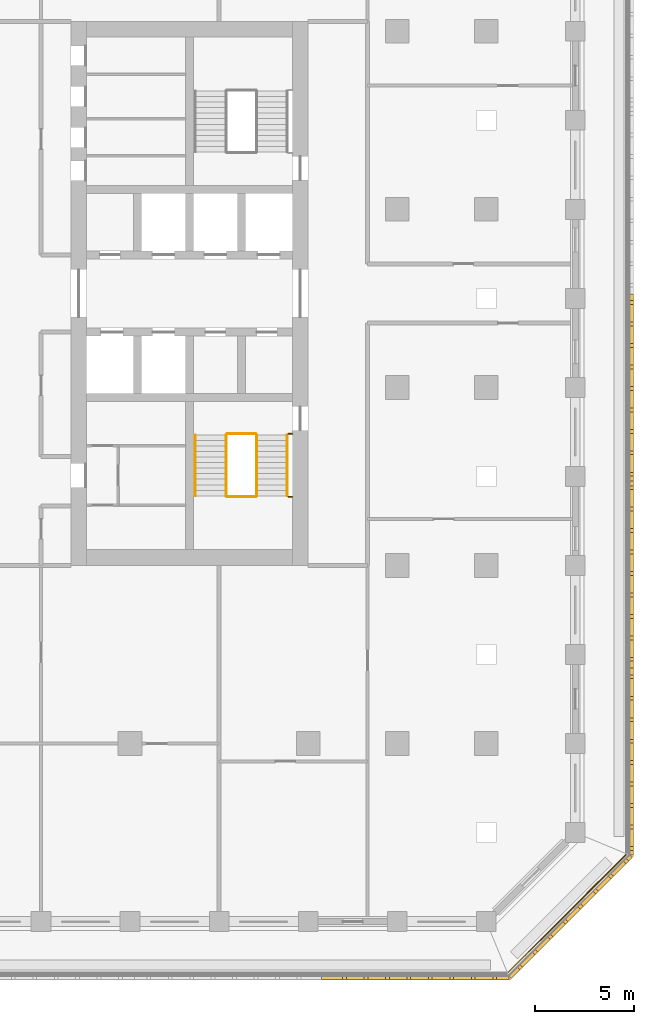
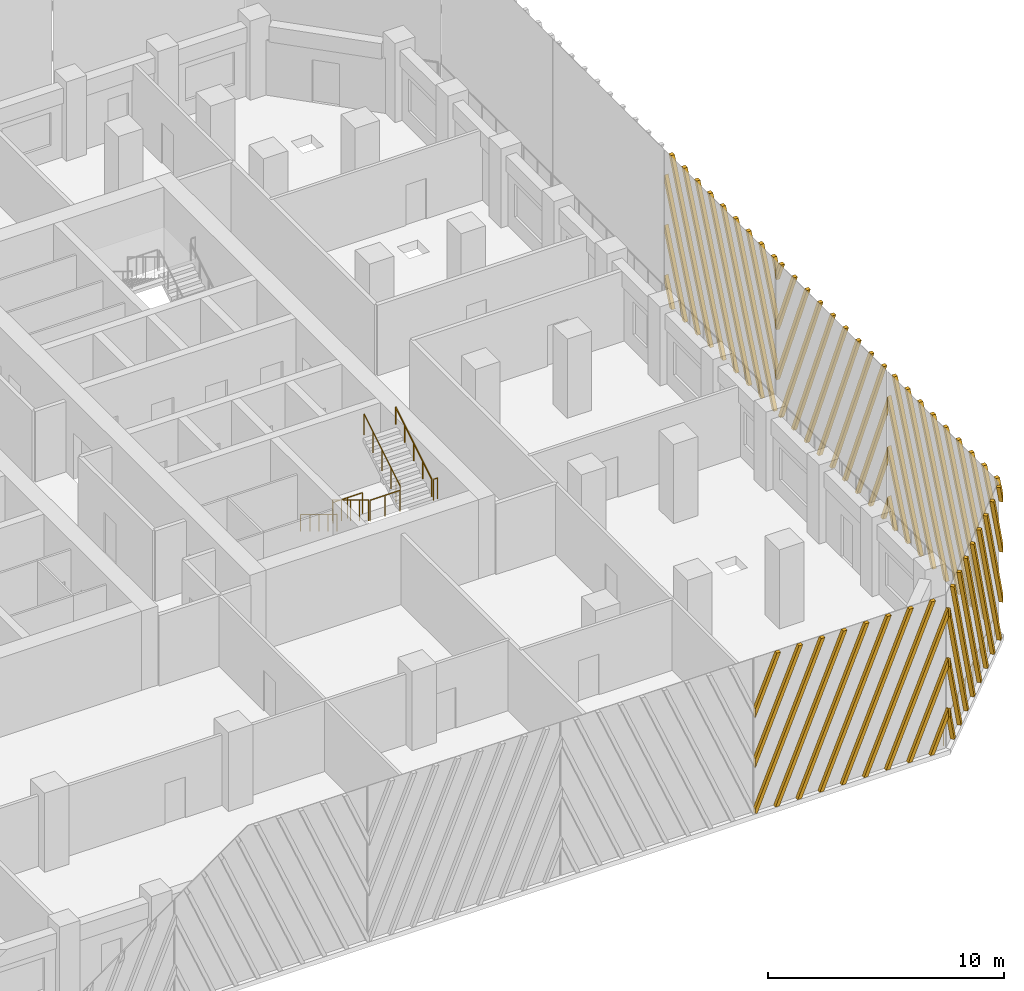
# One storey, part 11 of 16: 9 railings, 5 shading devices.
"""IFC4 building model written with IfcOpenShell, lengths in metres."""

from ifc_helpers import new_model, si_unit, direction, frame, origin, origin_2d, place, context, subcontext, project, spatial, polyline, circle, outline, extrude, source, transform, mapped, material, type_object, element, save


model = new_model("IFC4")

# Units and contexts
model_context = context("Model", 3, precision=1e-05, world=origin(), true_north=direction((0.0, 1.0)))
body_context = subcontext(model_context, "Body", "Model", "MODEL_VIEW")
ifc_project = project(units=[si_unit("LENGTHUNIT", "METRE"), si_unit("AREAUNIT", "SQUARE_METRE"), si_unit("VOLUMEUNIT", "CUBIC_METRE"), si_unit("PLANEANGLEUNIT", "RADIAN"), si_unit("MASSUNIT", "GRAM", prefix="KILO")], contexts=[model_context])

# Site, building, storey
site_placement = place(None, origin())
site = spatial("IfcSite", under=ifc_project, at=site_placement, CompositionType="ELEMENT")
building_placement = place(site_placement, origin())
building = spatial("IfcBuilding", under=site, at=building_placement, Name="Corbel Stack Research Tower", CompositionType="ELEMENT")
storey_placement = place(building_placement, frame((0.0, 0.0, 191.5)))
storey = spatial("IfcBuildingStorey", under=building, at=storey_placement, Name="L43", CompositionType="ELEMENT", Elevation=191.5)

# Railings
ifc_material_1 = material(Name="Steel S355", Category="steel")
railing_type_1 = type_object("IfcRailingType", Name="Stair guard 1100", PredefinedType="GUARDRAIL", material=ifc_material_1)
railing_1_placement = place(storey_placement, frame((13.85009765625, -2.39990234375, 0.1708984375)))
element("IfcRailing", 1, at=railing_1_placement, inside=storey, type_object=railing_type_1, Name="L43 ST-E1 stair guard 1", PredefinedType="GUARDRAIL", context=body_context, shape_type="SweptSolid", body=[
    extrude(circle(Radius=0.02392578125, at=origin_2d()), frame((0.0, 0.0, 1.076171875), z_axis=(0.0, -0.853666305674, 0.52082035152), x_axis=(1.0, 0.0, 0.0)), (0.0, 0.0, 1.0), 3.608154296875),
    extrude(circle(Radius=0.02099609375, at=origin_2d()), origin(), (0.0, 0.0, 1.0), 1.052001953125),
    extrude(circle(Radius=0.02099609375, at=origin_2d()), frame((0.0, -0.77001953125, 0.4697265625)), (0.0, 0.0, 1.0), 1.052001953125),
    extrude(circle(Radius=0.02099609375, at=origin_2d()), frame((0.0, -1.5400390625, 0.939453125)), (0.0, 0.0, 1.0), 1.052001953125),
    extrude(circle(Radius=0.02099609375, at=origin_2d()), frame((0.0, -2.31005859375, 1.409423828125)), (0.0, 0.0, 1.0), 1.052001953125),
    extrude(circle(Radius=0.02099609375, at=origin_2d()), frame((0.0, -3.080078125, 1.879150390625)), (0.0, 0.0, 1.0), 1.052001953125),
])
railing_2_placement = place(storey_placement, frame((13.89990234375, -5.530029296875, 2.050048828125)))
element("IfcRailing", 2, at=railing_2_placement, inside=storey, type_object=railing_type_1, Name="L43 ST-E1 stair guard 2", PredefinedType="GUARDRAIL", context=body_context, shape_type="SweptSolid", body=[
    extrude(circle(Radius=0.02392578125, at=origin_2d()), frame((0.0, 0.0, 1.076171875), z_axis=(1.0, 0.0, 0.0), x_axis=(0.0, 1.0, 0.0)), (0.0, 0.0, 1.0), 1.4501953125),
    extrude(circle(Radius=0.02099609375, at=origin_2d()), origin(), (0.0, 0.0, 1.0), 1.052001953125),
    extrude(circle(Radius=0.02099609375, at=origin_2d()), frame((0.72509765625, 0.0, 0.0)), (0.0, 0.0, 1.0), 1.052001953125),
    extrude(circle(Radius=0.02099609375, at=origin_2d()), frame((1.4501953125, 0.0, 0.0)), (0.0, 0.0, 1.0), 1.052001953125),
])
railing_3_placement = place(storey_placement, frame((17.0, -5.530029296875, 2.050048828125)))
element("IfcRailing", 3, at=railing_3_placement, inside=storey, type_object=railing_type_1, Name="L43 ST-E1 stair guard 3", PredefinedType="GUARDRAIL", context=body_context, shape_type="SweptSolid", body=[
    extrude(circle(Radius=0.02392578125, at=origin_2d()), frame((0.0, 0.0, 1.076171875), z_axis=(1.0, 0.0, 0.0), x_axis=(0.0, 1.0, 0.0)), (0.0, 0.0, 1.0), 0.199951171875),
    extrude(circle(Radius=0.02099609375, at=origin_2d()), origin(), (0.0, 0.0, 1.0), 1.052001953125),
    extrude(circle(Radius=0.02099609375, at=origin_2d()), frame((0.199951171875, 0.0, 0.0)), (0.0, 0.0, 1.0), 1.052001953125),
])
railing_4_placement = place(storey_placement, frame((15.39990234375, -5.47998046875, 2.220947265625)))
element("IfcRailing", 4, at=railing_4_placement, inside=storey, type_object=railing_type_1, Name="L43 ST-E1 stair guard 4", PredefinedType="GUARDRAIL", context=body_context, shape_type="SweptSolid", body=[
    extrude(circle(Radius=0.02392578125, at=origin_2d()), frame((0.0, 0.0, 1.076171875), z_axis=(0.0, 0.853666305674, 0.52082035152), x_axis=(-1.0, 0.0, 0.0)), (0.0, 0.0, 1.0), 3.608154296875),
    extrude(circle(Radius=0.02099609375, at=origin_2d()), origin(), (0.0, 0.0, 1.0), 1.052001953125),
    extrude(circle(Radius=0.02099609375, at=origin_2d()), frame((0.0, 0.77001953125, 0.4697265625)), (0.0, 0.0, 1.0), 1.052001953125),
    extrude(circle(Radius=0.02099609375, at=origin_2d()), frame((0.0, 1.5400390625, 0.939453125)), (0.0, 0.0, 1.0), 1.052001953125),
    extrude(circle(Radius=0.02099609375, at=origin_2d()), frame((0.0, 2.31005859375, 1.409423828125)), (0.0, 0.0, 1.0), 1.052001953125),
    extrude(circle(Radius=0.02099609375, at=origin_2d()), frame((0.0, 3.080078125, 1.879150390625)), (0.0, 0.0, 1.0), 1.052001953125),
])
railing_5_placement = place(storey_placement, frame((13.89990234375, -2.35009765625, 0.0)))
element("IfcRailing", 5, at=railing_5_placement, inside=storey, type_object=railing_type_1, Name="L43 ST-E1 stair guard 5", PredefinedType="GUARDRAIL", context=body_context, shape_type="SweptSolid", body=[
    extrude(circle(Radius=0.02392578125, at=origin_2d()), frame((0.0, 0.0, 1.076171875), z_axis=(1.0, 0.0, 0.0), x_axis=(0.0, 1.0, 0.0)), (0.0, 0.0, 1.0), 1.4501953125),
    extrude(circle(Radius=0.02099609375, at=origin_2d()), origin(), (0.0, 0.0, 1.0), 1.052001953125),
    extrude(circle(Radius=0.02099609375, at=origin_2d()), frame((0.72509765625, 0.0, 0.0)), (0.0, 0.0, 1.0), 1.052001953125),
    extrude(circle(Radius=0.02099609375, at=origin_2d()), frame((1.4501953125, 0.0, 0.0)), (0.0, 0.0, 1.0), 1.052001953125),
])
railing_6_placement = place(storey_placement, frame((17.0, -2.35009765625, 0.0)))
element("IfcRailing", 6, at=railing_6_placement, inside=storey, type_object=railing_type_1, Name="L43 ST-E1 stair guard 6", PredefinedType="GUARDRAIL", context=body_context, shape_type="SweptSolid", body=[
    extrude(circle(Radius=0.02392578125, at=origin_2d()), frame((0.0, 0.0, 1.076171875), z_axis=(1.0, 0.0, 0.0), x_axis=(0.0, 1.0, 0.0)), (0.0, 0.0, 1.0), 0.199951171875),
    extrude(circle(Radius=0.02099609375, at=origin_2d()), origin(), (0.0, 0.0, 1.0), 1.052001953125),
    extrude(circle(Radius=0.02099609375, at=origin_2d()), frame((0.199951171875, 0.0, 0.0)), (0.0, 0.0, 1.0), 1.052001953125),
])
ifc_material_2 = material(Name="Steel S355", Category="steel")
railing_type_2 = type_object("IfcRailingType", Name="Stair handrail 900", PredefinedType="HANDRAIL", material=ifc_material_2)
railing_7_placement = place(storey_placement, frame((12.300048828125, -2.39990234375, 0.1708984375)))
element("IfcRailing", 7, at=railing_7_placement, inside=storey, type_object=railing_type_2, Name="L43 ST-E1 stair handrail 1", PredefinedType="HANDRAIL", context=body_context, shape_type="SweptSolid", body=[
    extrude(circle(Radius=0.02392578125, at=origin_2d()), frame((0.0, 0.0, 0.8759765625), z_axis=(0.0, -0.853666305674, 0.52082035152), x_axis=(1.0, 0.0, 0.0)), (0.0, 0.0, 1.0), 3.608154296875),
    extrude(circle(Radius=0.02099609375, at=origin_2d()), origin(), (0.0, 0.0, 1.0), 0.851806640625),
    extrude(circle(Radius=0.02099609375, at=origin_2d()), frame((0.0, -0.77001953125, 0.4697265625)), (0.0, 0.0, 1.0), 0.851806640625),
    extrude(circle(Radius=0.02099609375, at=origin_2d()), frame((0.0, -1.5400390625, 0.939453125)), (0.0, 0.0, 1.0), 0.851806640625),
    extrude(circle(Radius=0.02099609375, at=origin_2d()), frame((0.0, -2.31005859375, 1.409423828125)), (0.0, 0.0, 1.0), 0.851806640625),
    extrude(circle(Radius=0.02099609375, at=origin_2d()), frame((0.0, -3.080078125, 1.879150390625)), (0.0, 0.0, 1.0), 0.851806640625),
])
railing_8_placement = place(storey_placement, frame((16.949951171875, -5.47998046875, 2.220947265625)))
element("IfcRailing", 8, at=railing_8_placement, inside=storey, type_object=railing_type_2, Name="L43 ST-E1 stair handrail 2", PredefinedType="HANDRAIL", context=body_context, shape_type="SweptSolid", body=[
    extrude(circle(Radius=0.02392578125, at=origin_2d()), frame((0.0, 0.0, 0.8759765625), z_axis=(0.0, 0.853666305674, 0.52082035152), x_axis=(-1.0, 0.0, 0.0)), (0.0, 0.0, 1.0), 3.608154296875),
    extrude(circle(Radius=0.02099609375, at=origin_2d()), origin(), (0.0, 0.0, 1.0), 0.851806640625),
    extrude(circle(Radius=0.02099609375, at=origin_2d()), frame((0.0, 0.77001953125, 0.4697265625)), (0.0, 0.0, 1.0), 0.851806640625),
    extrude(circle(Radius=0.02099609375, at=origin_2d()), frame((0.0, 1.5400390625, 0.939453125)), (0.0, 0.0, 1.0), 0.851806640625),
    extrude(circle(Radius=0.02099609375, at=origin_2d()), frame((0.0, 2.31005859375, 1.409423828125)), (0.0, 0.0, 1.0), 0.851806640625),
    extrude(circle(Radius=0.02099609375, at=origin_2d()), frame((0.0, 3.080078125, 1.879150390625)), (0.0, 0.0, 1.0), 0.851806640625),
])
ifc_material_3 = material(Name="Powder-coated steel guard", Category="steel")
railing_type_3 = type_object("IfcRailingType", Name="Steel and glass guard 1100", PredefinedType="GUARDRAIL", material=ifc_material_3)
railing_9_placement = place(storey_placement, frame((28.127685546875, -29.54931640625, 0.0)))
element("IfcRailing", 9, at=railing_9_placement, inside=storey, type_object=railing_type_3, Name="Loggia guard L43 SE", PredefinedType="GUARDRAIL", context=body_context, shape_type="SweptSolid", body=[
    extrude(circle(Radius=0.02392578125, at=origin_2d()), frame((0.0, 0.0, 1.076171875), z_axis=(0.707106781187, 0.707106781187, 0.0), x_axis=(-0.707106781187, 0.707106781187, 0.0)), (0.0, 0.0, 1.0), 8.37451171875),
    extrude(circle(Radius=0.02099609375, at=origin_2d()), origin(), (0.0, 0.0, 1.0), 1.052001953125),
    extrude(circle(Radius=0.02099609375, at=origin_2d()), frame((0.845947265625, 0.845947265625, 0.0)), (0.0, 0.0, 1.0), 1.052001953125),
    extrude(circle(Radius=0.02099609375, at=origin_2d()), frame((1.69189453125, 1.69189453125, 0.0)), (0.0, 0.0, 1.0), 1.052001953125),
    extrude(circle(Radius=0.02099609375, at=origin_2d()), frame((2.537841796875, 2.537841796875, 0.0)), (0.0, 0.0, 1.0), 1.052001953125),
    extrude(circle(Radius=0.02099609375, at=origin_2d()), frame((3.3837890625, 3.3837890625, 0.0)), (0.0, 0.0, 1.0), 1.052001953125),
    extrude(circle(Radius=0.02099609375, at=origin_2d()), frame((4.229736328125, 4.229736328125, 0.0)), (0.0, 0.0, 1.0), 1.052001953125),
    extrude(circle(Radius=0.02099609375, at=origin_2d()), frame((5.07568359375, 5.07568359375, 0.0)), (0.0, 0.0, 1.0), 1.052001953125),
    extrude(circle(Radius=0.02099609375, at=origin_2d()), frame((5.921630859375, 5.921630859375, 0.0)), (0.0, 0.0, 1.0), 1.052001953125),
])

# Shading devices
ifc_material_4 = material(Name="Precast terracotta", Category="masonry")
shading_device_type = type_object("IfcShadingDeviceType", Name="Terracotta screen panel", PredefinedType="USERDEFINED", material=ifc_material_4)
shared_shape_1 = source(origin(), body_context, "Body", "SweptSolid", [
    extrude(outline(polyline([(1.245849609375, 7.949951171875), (1.055908203125, 7.949951171875), (0.0, 5.421875), (0.0, 4.966796875), (1.245849609375, 7.949951171875)])), frame((0.0, 0.0, 0.0), z_axis=(0.0, -1.0, 0.0), x_axis=(1.0, 0.0, 0.0)), (0.0, 0.0, 1.0), 0.179931640625),
    extrude(outline(polyline([(2.33056640625, 7.949951171875), (2.140380859375, 7.949951171875), (0.0, 2.82470703125), (0.0, 2.36962890625), (2.33056640625, 7.949951171875)])), frame((0.0, 0.0, 0.0), z_axis=(0.0, -1.0, 0.0), x_axis=(1.0, 0.0, 0.0)), (0.0, 0.0, 1.0), 0.179931640625),
    extrude(outline(polyline([(0.094970703125, 0.0), (3.415283203125, 7.949951171875), (3.22509765625, 7.949951171875), (0.0, 0.2275390625), (0.0, 0.0), (0.094970703125, 0.0)])), frame((0.0, 0.0, 0.0), z_axis=(0.0, -1.0, 0.0), x_axis=(1.0, 0.0, 0.0)), (0.0, 0.0, 1.0), 0.179931640625),
    extrude(outline(polyline([(1.1796875, 0.0), (4.499755859375, 7.949951171875), (4.309814453125, 7.949951171875), (0.98974609375, 0.0), (1.1796875, 0.0)])), frame((0.0, 0.0, 0.0), z_axis=(0.0, -1.0, 0.0), x_axis=(1.0, 0.0, 0.0)), (0.0, 0.0, 1.0), 0.179931640625),
    extrude(outline(polyline([(2.264404296875, 0.0), (5.58447265625, 7.949951171875), (5.39453125, 7.949951171875), (2.07421875, 0.0), (2.264404296875, 0.0)])), frame((0.0, 0.0, 0.0), z_axis=(0.0, -1.0, 0.0), x_axis=(1.0, 0.0, 0.0)), (0.0, 0.0, 1.0), 0.179931640625),
    extrude(outline(polyline([(3.34912109375, 0.0), (6.669189453125, 7.949951171875), (6.479248046875, 7.949951171875), (3.158935546875, 0.0), (3.34912109375, 0.0)])), frame((0.0, 0.0, 0.0), z_axis=(0.0, -1.0, 0.0), x_axis=(1.0, 0.0, 0.0)), (0.0, 0.0, 1.0), 0.179931640625),
    extrude(outline(polyline([(4.43359375, 0.0), (7.75390625, 7.949951171875), (7.563720703125, 7.949951171875), (4.24365234375, 0.0), (4.43359375, 0.0)])), frame((0.0, 0.0, 0.0), z_axis=(0.0, -1.0, 0.0), x_axis=(1.0, 0.0, 0.0)), (0.0, 0.0, 1.0), 0.179931640625),
    extrude(outline(polyline([(5.518310546875, 0.0), (8.83837890625, 7.949951171875), (8.6484375, 7.949951171875), (5.328369140625, 0.0), (5.518310546875, 0.0)])), frame((0.0, 0.0, 0.0), z_axis=(0.0, -1.0, 0.0), x_axis=(1.0, 0.0, 0.0)), (0.0, 0.0, 1.0), 0.179931640625),
    extrude(outline(polyline([(6.60302734375, 0.0), (9.45556640625, 6.83056640625), (9.45556640625, 7.285400390625), (6.4130859375, 0.0), (6.60302734375, 0.0)])), frame((0.0, 0.0, 0.0), z_axis=(0.0, -1.0, 0.0), x_axis=(1.0, 0.0, 0.0)), (0.0, 0.0, 1.0), 0.179931640625),
    extrude(outline(polyline([(7.687744140625, 0.0), (9.45556640625, 4.2333984375), (9.45556640625, 4.688232421875), (7.497802734375, 0.0), (7.687744140625, 0.0)])), frame((0.0, 0.0, 0.0), z_axis=(0.0, -1.0, 0.0), x_axis=(1.0, 0.0, 0.0)), (0.0, 0.0, 1.0), 0.179931640625),
    extrude(outline(polyline([(8.772216796875, 0.0), (9.45556640625, 1.635986328125), (9.45556640625, 2.091064453125), (8.582275390625, 0.0), (8.772216796875, 0.0)])), frame((0.0, 0.0, 0.0), z_axis=(0.0, -1.0, 0.0), x_axis=(1.0, 0.0, 0.0)), (0.0, 0.0, 1.0), 0.179931640625),
])
shading_device_1_placement = place(storey_placement, frame((18.68359375, -29.75, 0.0), z_axis=(0.0, 0.0, 1.0), x_axis=(1.0, 0.0, 0.0)))
element("IfcShadingDevice", 10, at=shading_device_1_placement, inside=storey, type_object=shading_device_type, Name="Terracotta screen L43 S5", ObjectType="SCREEN", PredefinedType="USERDEFINED", context=body_context, shape_type="MappedRepresentation", body=[
    mapped(shared_shape_1, transform((0.0, 0.0, 0.0))),
])
shared_shape_2 = source(origin(), body_context, "Body", "SweptSolid", [
    extrude(outline(polyline([(0.873291015625, 0.0), (0.0, 2.091064453125), (0.0, 1.635986328125), (0.683349609375, 0.0), (0.873291015625, 0.0)])), frame((0.0, 0.0, 0.0), z_axis=(0.0, -1.0, 0.0), x_axis=(1.0, 0.0, 0.0)), (0.0, 0.0, 1.0), 0.179931640625),
    extrude(outline(polyline([(1.9580078125, 0.0), (0.0, 4.688232421875), (0.0, 4.2333984375), (1.76806640625, 0.0), (1.9580078125, 0.0)])), frame((0.0, 0.0, 0.0), z_axis=(0.0, -1.0, 0.0), x_axis=(1.0, 0.0, 0.0)), (0.0, 0.0, 1.0), 0.179931640625),
    extrude(outline(polyline([(3.04248046875, 0.0), (0.0, 7.285400390625), (0.0, 6.83056640625), (2.8525390625, 0.0), (3.04248046875, 0.0)])), frame((0.0, 0.0, 0.0), z_axis=(0.0, -1.0, 0.0), x_axis=(1.0, 0.0, 0.0)), (0.0, 0.0, 1.0), 0.179931640625),
    extrude(outline(polyline([(4.127197265625, 0.0), (0.80712890625, 7.949951171875), (0.6171875, 7.949951171875), (3.937255859375, 0.0), (4.127197265625, 0.0)])), frame((0.0, 0.0, 0.0), z_axis=(0.0, -1.0, 0.0), x_axis=(1.0, 0.0, 0.0)), (0.0, 0.0, 1.0), 0.179931640625),
    extrude(outline(polyline([(5.2119140625, 0.0), (1.891845703125, 7.949951171875), (1.701904296875, 7.949951171875), (5.02197265625, 0.0), (5.2119140625, 0.0)])), frame((0.0, 0.0, 0.0), z_axis=(0.0, -1.0, 0.0), x_axis=(1.0, 0.0, 0.0)), (0.0, 0.0, 1.0), 0.179931640625),
    extrude(outline(polyline([(6.296630859375, 0.0), (2.9765625, 7.949951171875), (2.78662109375, 7.949951171875), (6.106689453125, 0.0), (6.296630859375, 0.0)])), frame((0.0, 0.0, 0.0), z_axis=(0.0, -1.0, 0.0), x_axis=(1.0, 0.0, 0.0)), (0.0, 0.0, 1.0), 0.179931640625),
    extrude(outline(polyline([(7.38134765625, 0.0), (4.06103515625, 7.949951171875), (3.87109375, 7.949951171875), (7.19140625, 0.0), (7.38134765625, 0.0)])), frame((0.0, 0.0, 0.0), z_axis=(0.0, -1.0, 0.0), x_axis=(1.0, 0.0, 0.0)), (0.0, 0.0, 1.0), 0.179931640625),
    extrude(outline(polyline([(8.466064453125, 0.0), (5.145751953125, 7.949951171875), (4.955810546875, 7.949951171875), (8.27587890625, 0.0), (8.466064453125, 0.0)])), frame((0.0, 0.0, 0.0), z_axis=(0.0, -1.0, 0.0), x_axis=(1.0, 0.0, 0.0)), (0.0, 0.0, 1.0), 0.179931640625),
    extrude(outline(polyline([(6.23046875, 7.949951171875), (6.04052734375, 7.949951171875), (8.64208984375, 1.720458984375), (8.64208984375, 2.17529296875), (6.23046875, 7.949951171875)])), frame((0.0, 0.0, 0.0), z_axis=(0.0, -1.0, 0.0), x_axis=(1.0, 0.0, 0.0)), (0.0, 0.0, 1.0), 0.179931640625),
    extrude(outline(polyline([(7.315185546875, 7.949951171875), (7.125, 7.949951171875), (8.64208984375, 4.317626953125), (8.64208984375, 4.7724609375), (7.315185546875, 7.949951171875)])), frame((0.0, 0.0, 0.0), z_axis=(0.0, -1.0, 0.0), x_axis=(1.0, 0.0, 0.0)), (0.0, 0.0, 1.0), 0.179931640625),
    extrude(outline(polyline([(8.39990234375, 7.949951171875), (8.209716796875, 7.949951171875), (8.64208984375, 6.914794921875), (8.64208984375, 7.36962890625), (8.39990234375, 7.949951171875)])), frame((0.0, 0.0, 0.0), z_axis=(0.0, -1.0, 0.0), x_axis=(1.0, 0.0, 0.0)), (0.0, 0.0, 1.0), 0.179931640625),
])
shading_device_2_placement = place(storey_placement, frame((28.13916015625, -29.75, 0.0), z_axis=(0.0, 0.0, 1.0), x_axis=(0.707106781187, 0.707106781187, 0.0)))
element("IfcShadingDevice", 11, at=shading_device_2_placement, inside=storey, type_object=shading_device_type, Name="Terracotta screen L43 SE1", ObjectType="SCREEN", PredefinedType="USERDEFINED", context=body_context, shape_type="MappedRepresentation", body=[
    mapped(shared_shape_2, transform((0.0, 0.0, 0.0))),
])
shared_shape_3 = source(origin(), body_context, "Body", "SweptSolid", [
    extrude(outline(polyline([(0.432373046875, 7.949951171875), (0.2421875, 7.949951171875), (0.0, 7.36962890625), (0.0, 6.914794921875), (0.432373046875, 7.949951171875)])), frame((0.0, 0.0, 0.0), z_axis=(0.0, -1.0, 0.0), x_axis=(1.0, 0.0, 0.0)), (0.0, 0.0, 1.0), 0.179931640625),
    extrude(outline(polyline([(1.51708984375, 7.949951171875), (1.326904296875, 7.949951171875), (0.0, 4.7724609375), (0.0, 4.317626953125), (1.51708984375, 7.949951171875)])), frame((0.0, 0.0, 0.0), z_axis=(0.0, -1.0, 0.0), x_axis=(1.0, 0.0, 0.0)), (0.0, 0.0, 1.0), 0.179931640625),
    extrude(outline(polyline([(2.601806640625, 7.949951171875), (2.41162109375, 7.949951171875), (0.0, 2.17529296875), (0.0, 1.720458984375), (2.601806640625, 7.949951171875)])), frame((0.0, 0.0, 0.0), z_axis=(0.0, -1.0, 0.0), x_axis=(1.0, 0.0, 0.0)), (0.0, 0.0, 1.0), 0.179931640625),
    extrude(outline(polyline([(0.3662109375, 0.0), (3.686279296875, 7.949951171875), (3.496337890625, 7.949951171875), (0.17626953125, 0.0), (0.3662109375, 0.0)])), frame((0.0, 0.0, 0.0), z_axis=(0.0, -1.0, 0.0), x_axis=(1.0, 0.0, 0.0)), (0.0, 0.0, 1.0), 0.179931640625),
    extrude(outline(polyline([(1.45068359375, 0.0), (4.77099609375, 7.949951171875), (4.5810546875, 7.949951171875), (1.2607421875, 0.0), (1.45068359375, 0.0)])), frame((0.0, 0.0, 0.0), z_axis=(0.0, -1.0, 0.0), x_axis=(1.0, 0.0, 0.0)), (0.0, 0.0, 1.0), 0.179931640625),
    extrude(outline(polyline([(2.535400390625, 0.0), (5.855712890625, 7.949951171875), (5.665771484375, 7.949951171875), (2.345458984375, 0.0), (2.535400390625, 0.0)])), frame((0.0, 0.0, 0.0), z_axis=(0.0, -1.0, 0.0), x_axis=(1.0, 0.0, 0.0)), (0.0, 0.0, 1.0), 0.179931640625),
    extrude(outline(polyline([(3.6201171875, 0.0), (6.940185546875, 7.949951171875), (6.750244140625, 7.949951171875), (3.43017578125, 0.0), (3.6201171875, 0.0)])), frame((0.0, 0.0, 0.0), z_axis=(0.0, -1.0, 0.0), x_axis=(1.0, 0.0, 0.0)), (0.0, 0.0, 1.0), 0.179931640625),
    extrude(outline(polyline([(4.704833984375, 0.0), (8.02490234375, 7.949951171875), (7.8349609375, 7.949951171875), (4.514892578125, 0.0), (4.704833984375, 0.0)])), frame((0.0, 0.0, 0.0), z_axis=(0.0, -1.0, 0.0), x_axis=(1.0, 0.0, 0.0)), (0.0, 0.0, 1.0), 0.179931640625),
    extrude(outline(polyline([(5.78955078125, 0.0), (9.109619140625, 7.949951171875), (8.919677734375, 7.949951171875), (5.599609375, 0.0), (5.78955078125, 0.0)])), frame((0.0, 0.0, 0.0), z_axis=(0.0, -1.0, 0.0), x_axis=(1.0, 0.0, 0.0)), (0.0, 0.0, 1.0), 0.179931640625),
    extrude(outline(polyline([(6.874267578125, 0.0), (9.45556640625, 6.18115234375), (9.45556640625, 6.63623046875), (6.68408203125, 0.0), (6.874267578125, 0.0)])), frame((0.0, 0.0, 0.0), z_axis=(0.0, -1.0, 0.0), x_axis=(1.0, 0.0, 0.0)), (0.0, 0.0, 1.0), 0.179931640625),
    extrude(outline(polyline([(7.958740234375, 0.0), (9.45556640625, 3.583984375), (9.45556640625, 4.0390625), (7.768798828125, 0.0), (7.958740234375, 0.0)])), frame((0.0, 0.0, 0.0), z_axis=(0.0, -1.0, 0.0), x_axis=(1.0, 0.0, 0.0)), (0.0, 0.0, 1.0), 0.179931640625),
    extrude(outline(polyline([(9.04345703125, 0.0), (9.45556640625, 0.98681640625), (9.45556640625, 1.44189453125), (8.853515625, 0.0), (9.04345703125, 0.0)])), frame((0.0, 0.0, 0.0), z_axis=(0.0, -1.0, 0.0), x_axis=(1.0, 0.0, 0.0)), (0.0, 0.0, 1.0), 0.179931640625),
])
for number, where, z_axis, x_axis, name in (
    (12, (34.25, -23.63916015625, 0.0), (0.0, 0.0, 1.0), (0.0, 1.0, 0.0), "Terracotta screen L43 E1"),
    (13, (34.25, -4.727783203125, 0.0), (0.0, 0.0, 1.0), (0.0, 1.0, 0.0), "Terracotta screen L43 E3"),
):
    element("IfcShadingDevice", number, at=place(storey_placement, frame(where, z_axis=z_axis, x_axis=x_axis)), inside=storey, type_object=shading_device_type, Name=name, ObjectType="SCREEN", PredefinedType="USERDEFINED", context=body_context, shape_type="MappedRepresentation", body=[
        mapped(shared_shape_3, transform((0.0, 0.0, 0.0))),
    ])
shared_shape_4 = source(origin(), body_context, "Body", "SweptSolid", [
    extrude(outline(polyline([(0.60205078125, 0.0), (0.0, 1.44189453125), (0.0, 0.98681640625), (0.412109375, 0.0), (0.60205078125, 0.0)])), frame((0.0, 0.0, 0.0), z_axis=(0.0, -1.0, 0.0), x_axis=(1.0, 0.0, 0.0)), (0.0, 0.0, 1.0), 0.179931640625),
    extrude(outline(polyline([(1.686767578125, 0.0), (0.0, 4.0390625), (0.0, 3.583984375), (1.496826171875, 0.0), (1.686767578125, 0.0)])), frame((0.0, 0.0, 0.0), z_axis=(0.0, -1.0, 0.0), x_axis=(1.0, 0.0, 0.0)), (0.0, 0.0, 1.0), 0.179931640625),
    extrude(outline(polyline([(2.771484375, 0.0), (0.0, 6.63623046875), (0.0, 6.18115234375), (2.58154296875, 0.0), (2.771484375, 0.0)])), frame((0.0, 0.0, 0.0), z_axis=(0.0, -1.0, 0.0), x_axis=(1.0, 0.0, 0.0)), (0.0, 0.0, 1.0), 0.179931640625),
    extrude(outline(polyline([(3.856201171875, 0.0), (0.535888671875, 7.949951171875), (0.345947265625, 7.949951171875), (3.666015625, 0.0), (3.856201171875, 0.0)])), frame((0.0, 0.0, 0.0), z_axis=(0.0, -1.0, 0.0), x_axis=(1.0, 0.0, 0.0)), (0.0, 0.0, 1.0), 0.179931640625),
    extrude(outline(polyline([(4.94091796875, 0.0), (1.62060546875, 7.949951171875), (1.4306640625, 7.949951171875), (4.750732421875, 0.0), (4.94091796875, 0.0)])), frame((0.0, 0.0, 0.0), z_axis=(0.0, -1.0, 0.0), x_axis=(1.0, 0.0, 0.0)), (0.0, 0.0, 1.0), 0.179931640625),
    extrude(outline(polyline([(6.025390625, 0.0), (2.705322265625, 7.949951171875), (2.515380859375, 7.949951171875), (5.83544921875, 0.0), (6.025390625, 0.0)])), frame((0.0, 0.0, 0.0), z_axis=(0.0, -1.0, 0.0), x_axis=(1.0, 0.0, 0.0)), (0.0, 0.0, 1.0), 0.179931640625),
    extrude(outline(polyline([(7.110107421875, 0.0), (3.7900390625, 7.949951171875), (3.60009765625, 7.949951171875), (6.920166015625, 0.0), (7.110107421875, 0.0)])), frame((0.0, 0.0, 0.0), z_axis=(0.0, -1.0, 0.0), x_axis=(1.0, 0.0, 0.0)), (0.0, 0.0, 1.0), 0.179931640625),
    extrude(outline(polyline([(8.19482421875, 0.0), (4.87451171875, 7.949951171875), (4.6845703125, 7.949951171875), (8.0048828125, 0.0), (8.19482421875, 0.0)])), frame((0.0, 0.0, 0.0), z_axis=(0.0, -1.0, 0.0), x_axis=(1.0, 0.0, 0.0)), (0.0, 0.0, 1.0), 0.179931640625),
    extrude(outline(polyline([(9.279541015625, 0.0), (5.959228515625, 7.949951171875), (5.769287109375, 7.949951171875), (9.089599609375, 0.0), (9.279541015625, 0.0)])), frame((0.0, 0.0, 0.0), z_axis=(0.0, -1.0, 0.0), x_axis=(1.0, 0.0, 0.0)), (0.0, 0.0, 1.0), 0.179931640625),
    extrude(outline(polyline([(7.0439453125, 7.949951171875), (6.85400390625, 7.949951171875), (9.45556640625, 1.720458984375), (9.45556640625, 2.17529296875), (7.0439453125, 7.949951171875)])), frame((0.0, 0.0, 0.0), z_axis=(0.0, -1.0, 0.0), x_axis=(1.0, 0.0, 0.0)), (0.0, 0.0, 1.0), 0.179931640625),
    extrude(outline(polyline([(8.128662109375, 7.949951171875), (7.938720703125, 7.949951171875), (9.45556640625, 4.317626953125), (9.45556640625, 4.7724609375), (8.128662109375, 7.949951171875)])), frame((0.0, 0.0, 0.0), z_axis=(0.0, -1.0, 0.0), x_axis=(1.0, 0.0, 0.0)), (0.0, 0.0, 1.0), 0.179931640625),
    extrude(outline(polyline([(9.21337890625, 7.949951171875), (9.023193359375, 7.949951171875), (9.45556640625, 6.914794921875), (9.45556640625, 7.36962890625), (9.21337890625, 7.949951171875)])), frame((0.0, 0.0, 0.0), z_axis=(0.0, -1.0, 0.0), x_axis=(1.0, 0.0, 0.0)), (0.0, 0.0, 1.0), 0.179931640625),
])
shading_device_3_placement = place(storey_placement, frame((34.25, -14.18359375, 0.0), z_axis=(0.0, 0.0, 1.0), x_axis=(0.0, 1.0, 0.0)))
element("IfcShadingDevice", 14, at=shading_device_3_placement, inside=storey, type_object=shading_device_type, Name="Terracotta screen L43 E2", ObjectType="SCREEN", PredefinedType="USERDEFINED", context=body_context, shape_type="MappedRepresentation", body=[
    mapped(shared_shape_4, transform((0.0, 0.0, 0.0))),
])

save(model, "model.ifc")
